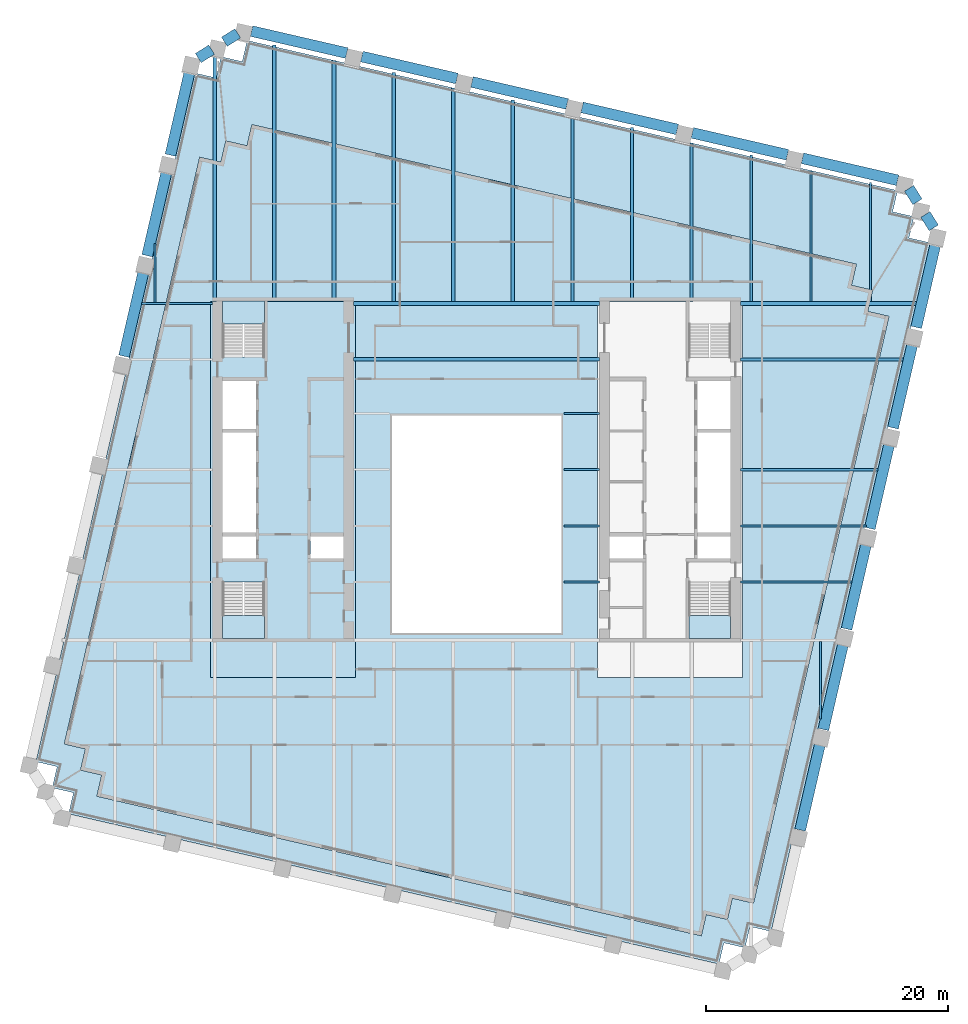
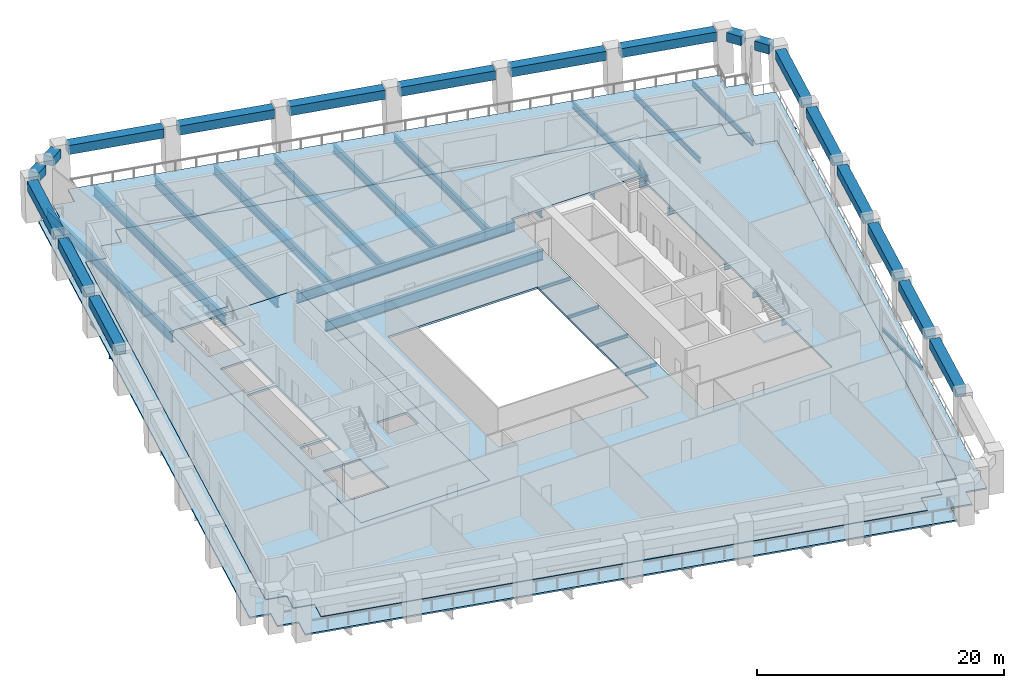
# One storey, part 2 of 10: 45 beams, 6 slabs, 3 elements without a shape of their own.
"""IFC4 building model written with IfcOpenShell, lengths in metres."""

from ifc_helpers import new_model, si_unit, direction, frame, origin, origin_2d, place, context, subcontext, project, spatial, polyline, rectangle, i_section, outline, extrude, material, layer, layer_set, material_profile, profile_set, type_object, element, aggregate, save


model = new_model("IFC4")

# Units and contexts
model_context = context("Model", 3, precision=1e-05, world=origin(), true_north=direction((0.0, 1.0)))
body_context = subcontext(model_context, "Body", "Model", "MODEL_VIEW")
ifc_project = project(units=[si_unit("LENGTHUNIT", "METRE"), si_unit("AREAUNIT", "SQUARE_METRE"), si_unit("VOLUMEUNIT", "CUBIC_METRE"), si_unit("PLANEANGLEUNIT", "RADIAN"), si_unit("MASSUNIT", "GRAM", prefix="KILO")], contexts=[model_context])

# Site, building, storey
site_placement = place(None, origin())
site = spatial("IfcSite", under=ifc_project, at=site_placement, CompositionType="ELEMENT")
building_placement = place(site_placement, origin())
building = spatial("IfcBuilding", under=site, at=building_placement, Name="Ogive Exchange Tower", CompositionType="ELEMENT")
storey_placement = place(building_placement, frame((0.0, 0.0, 151.800048828125)))
storey = spatial("IfcBuildingStorey", under=building, at=storey_placement, Name="L33", CompositionType="ELEMENT", Elevation=151.800048828125)

# Beams
ifc_material_1 = material(Name="Steel ASTM A992 Gr50", Category="steel")
ifc_material_profile_1 = material_profile(ifc_material_1, i_section(OverallWidth=0.300048828125, OverallDepth=0.969970703125, WebThickness=0.01611328125, FlangeThickness=0.02099609375, at=origin_2d()), Name="W1000x222")
ifc_profile_set_1 = profile_set([ifc_material_profile_1], Name="Steel ASTM A992 Gr50")
beam_type_1 = type_object("IfcBeamType", Name="Floor beam W1000x222", PredefinedType="JOIST", material=ifc_profile_set_1)
beam_1_placement = place(storey_placement, frame((-10.169921875, 20.62255859375, -0.68505859375), z_axis=(1.0, 0.0, 0.0), x_axis=(0.0, 1.0, 0.0)))
element("IfcBeam", 1, at=beam_1_placement, inside=storey, type_object=beam_type_1, Name="Floor beam", PredefinedType="JOIST", context=body_context, shape_type="SweptSolid", body=[
    extrude(i_section(OverallWidth=0.300048828125, OverallDepth=0.969970703125, WebThickness=0.01611328125, FlangeThickness=0.02099609375, at=origin_2d()), origin(), (0.0, 0.0, 1.0), 20.33984375),
])
beam_2_placement = place(storey_placement, frame((-21.650634765625, 25.39990234375, -0.68505859375), z_axis=(0.0, 1.0, 0.0), x_axis=(-1.0, 0.0, 0.0)))
element("IfcBeam", 2, at=beam_2_placement, inside=storey, type_object=beam_type_1, Name="Floor beam", PredefinedType="JOIST", context=body_context, shape_type="SweptSolid", body=[
    extrude(i_section(OverallWidth=0.300048828125, OverallDepth=0.969970703125, WebThickness=0.01611328125, FlangeThickness=0.02099609375, at=origin_2d()), origin(), (0.0, 0.0, 1.0), 20.317138671875),
])
beam_3_placement = place(storey_placement, frame((-11.791015625, 25.39990234375, -0.68505859375), z_axis=(0.0, 1.0, 0.0), x_axis=(-1.0, 0.0, 0.0)))
element("IfcBeam", 3, at=beam_3_placement, inside=storey, type_object=beam_type_1, Name="Floor beam", PredefinedType="JOIST", context=body_context, shape_type="SweptSolid", body=[
    extrude(i_section(OverallWidth=0.300048828125, OverallDepth=0.969970703125, WebThickness=0.01611328125, FlangeThickness=0.02099609375, at=origin_2d()), origin(), (0.0, 0.0, 1.0), 19.943603515625),
])
ifc_material_profile_2 = material_profile(ifc_material_1, i_section(OverallWidth=0.300048828125, OverallDepth=0.97998046875, WebThickness=0.0166015625, FlangeThickness=0.026123046875, at=origin_2d()), Name="W1000x249")
ifc_profile_set_2 = profile_set([ifc_material_profile_2], Name="Steel ASTM A992 Gr50")
beam_type_2 = type_object("IfcBeamType", Name="Floor beam W1000x249", PredefinedType="JOIST", material=ifc_profile_set_2)
beam_4_placement = place(storey_placement, frame((-16.720703125, 25.39990234375, -0.68994140625), z_axis=(0.0, 1.0, 0.0), x_axis=(-1.0, 0.0, 0.0)))
element("IfcBeam", 4, at=beam_4_placement, inside=storey, type_object=beam_type_2, Name="Floor beam", PredefinedType="JOIST", context=body_context, shape_type="SweptSolid", body=[
    extrude(i_section(OverallWidth=0.300048828125, OverallDepth=0.97998046875, WebThickness=0.0166015625, FlangeThickness=0.026123046875, at=origin_2d()), origin(), (0.0, 0.0, 1.0), 21.231689453125),
])
ifc_material_profile_3 = material_profile(ifc_material_1, i_section(OverallWidth=0.1650390625, OverallDepth=0.31005859375, WebThickness=0.005859375, FlangeThickness=0.009765625, at=origin_2d()), Name="W310x38.7")
ifc_profile_set_3 = profile_set([ifc_material_profile_3], Name="Steel ASTM A992 Gr50")
beam_type_3 = type_object("IfcBeamType", Name="Floor beam W310x38.7", PredefinedType="JOIST", material=ifc_profile_set_3)
for number, where, z_axis, x_axis, name in (
    (5, (7.219970703125, 2.208740234375, -0.35498046875), (1.0, 0.0, 0.0), (0.0, 1.0, 0.0), "Floor beam"),
    (6, (7.219970703125, 6.857421875, -0.35498046875), (1.0, 0.0, 0.0), (0.0, 1.0, 0.0), "Floor beam"),
    (7, (7.219970703125, 11.50634765625, -0.35498046875), (1.0, 0.0, 0.0), (0.0, 1.0, 0.0), "Floor beam"),
):
    element("IfcBeam", number, at=place(storey_placement, frame(where, z_axis=z_axis, x_axis=x_axis)), inside=storey, type_object=beam_type_3, Name=name, PredefinedType="JOIST", context=body_context, shape_type="SweptSolid", body=[
        extrude(i_section(OverallWidth=0.1650390625, OverallDepth=0.31005859375, WebThickness=0.005859375, FlangeThickness=0.009765625, at=origin_2d()), origin(), (0.0, 0.0, 1.0), 2.949951171875),
    ])
beam_5_placement = place(storey_placement, frame((28.447998046875, -9.125, -0.35498046875), z_axis=(0.0, 1.0, 0.0), x_axis=(-1.0, 0.0, 0.0)))
element("IfcBeam", 8, at=beam_5_placement, inside=storey, type_object=beam_type_3, Name="Floor beam", PredefinedType="JOIST", context=body_context, shape_type="SweptSolid", body=[
    extrude(i_section(OverallWidth=0.1650390625, OverallDepth=0.31005859375, WebThickness=0.005859375, FlangeThickness=0.009765625, at=origin_2d()), origin(), (0.0, 0.0, 1.0), 6.4345703125),
])
beam_6_placement = place(storey_placement, frame((-26.58056640625, 25.33056640625, -0.35498046875), z_axis=(0.0, 1.0, 0.0), x_axis=(-1.0, 0.0, 0.0)))
element("IfcBeam", 9, at=beam_6_placement, inside=storey, type_object=beam_type_3, Name="Floor beam", PredefinedType="JOIST", context=body_context, shape_type="SweptSolid", body=[
    extrude(i_section(OverallWidth=0.1650390625, OverallDepth=0.31005859375, WebThickness=0.005859375, FlangeThickness=0.009765625, at=origin_2d()), origin(), (0.0, 0.0, 1.0), 4.883544921875),
])
ifc_material_profile_4 = material_profile(ifc_material_1, i_section(OverallWidth=0.19091796875, OverallDepth=0.45703125, WebThickness=0.009033203125, FlangeThickness=0.014404296875, at=origin_2d()), Name="W460x74")
ifc_profile_set_4 = profile_set([ifc_material_profile_4], Name="Steel ASTM A992 Gr50")
beam_type_4 = type_object("IfcBeamType", Name="Floor beam W460x74", PredefinedType="JOIST", material=ifc_profile_set_4)
beam_7_placement = place(storey_placement, frame((21.830078125, 2.208740234375, -0.428466796875), z_axis=(1.0, 0.0, 0.0), x_axis=(0.0, 1.0, 0.0)))
element("IfcBeam", 10, at=beam_7_placement, inside=storey, type_object=beam_type_4, Name="Floor beam", PredefinedType="JOIST", context=body_context, shape_type="SweptSolid", body=[
    extrude(i_section(OverallWidth=0.19091796875, OverallDepth=0.45703125, WebThickness=0.009033203125, FlangeThickness=0.014404296875, at=origin_2d()), origin(), (0.0, 0.0, 1.0), 9.199951171875),
])
ifc_material_profile_5 = material_profile(ifc_material_1, i_section(OverallWidth=0.1669921875, OverallDepth=0.535888671875, WebThickness=0.01025390625, FlangeThickness=0.0166015625, at=origin_2d()), Name="W530x85")
ifc_profile_set_5 = profile_set([ifc_material_profile_5], Name="Steel ASTM A992 Gr50")
beam_type_5 = type_object("IfcBeamType", Name="Floor beam W530x85", PredefinedType="JOIST", material=ifc_profile_set_5)
beam_8_placement = place(storey_placement, frame((21.830078125, 6.857421875, -0.468017578125), z_axis=(1.0, 0.0, 0.0), x_axis=(0.0, 1.0, 0.0)))
element("IfcBeam", 11, at=beam_8_placement, inside=storey, type_object=beam_type_5, Name="Floor beam", PredefinedType="JOIST", context=body_context, shape_type="SweptSolid", body=[
    extrude(i_section(OverallWidth=0.1669921875, OverallDepth=0.535888671875, WebThickness=0.01025390625, FlangeThickness=0.0166015625, at=origin_2d()), origin(), (0.0, 0.0, 1.0), 10.423095703125),
])
beam_9_placement = place(storey_placement, frame((27.64794921875, 25.39111328125, -0.468017578125), z_axis=(0.0, 1.0, 0.0), x_axis=(-1.0, 0.0, 0.0)))
element("IfcBeam", 12, at=beam_9_placement, inside=storey, type_object=beam_type_5, Name="Floor beam", PredefinedType="JOIST", context=body_context, shape_type="SweptSolid", body=[
    extrude(i_section(OverallWidth=0.1669921875, OverallDepth=0.535888671875, WebThickness=0.01025390625, FlangeThickness=0.0166015625, at=origin_2d()), origin(), (0.0, 0.0, 1.0), 10.84716796875),
])
beam_10_placement = place(storey_placement, frame((32.577880859375, 25.39111328125, -0.468017578125), z_axis=(0.0, 1.0, 0.0), x_axis=(-1.0, 0.0, 0.0)))
element("IfcBeam", 13, at=beam_10_placement, inside=storey, type_object=beam_type_5, Name="Floor beam", PredefinedType="JOIST", context=body_context, shape_type="SweptSolid", body=[
    extrude(i_section(OverallWidth=0.1669921875, OverallDepth=0.535888671875, WebThickness=0.01025390625, FlangeThickness=0.0166015625, at=origin_2d()), origin(), (0.0, 0.0, 1.0), 9.85888671875),
])
ifc_material_profile_6 = material_profile(ifc_material_1, i_section(OverallWidth=0.22802734375, OverallDepth=0.60205078125, WebThickness=0.010498046875, FlangeThickness=0.014892578125, at=origin_2d()), Name="W610x101")
ifc_profile_set_6 = profile_set([ifc_material_profile_6], Name="Steel ASTM A992 Gr50")
beam_type_6 = type_object("IfcBeamType", Name="Floor beam W610x101", PredefinedType="JOIST", material=ifc_profile_set_6)
beam_11_placement = place(storey_placement, frame((21.830078125, 11.50634765625, -0.5009765625), z_axis=(1.0, 0.0, 0.0), x_axis=(0.0, 1.0, 0.0)))
element("IfcBeam", 14, at=beam_11_placement, inside=storey, type_object=beam_type_6, Name="Floor beam", PredefinedType="JOIST", context=body_context, shape_type="SweptSolid", body=[
    extrude(i_section(OverallWidth=0.22802734375, OverallDepth=0.60205078125, WebThickness=0.010498046875, FlangeThickness=0.014892578125, at=origin_2d()), origin(), (0.0, 0.0, 1.0), 11.346435546875),
])
beam_12_placement = place(storey_placement, frame((22.71826171875, 25.39111328125, -0.5009765625), z_axis=(0.0, 1.0, 0.0), x_axis=(-1.0, 0.0, 0.0)))
element("IfcBeam", 15, at=beam_12_placement, inside=storey, type_object=beam_type_6, Name="Floor beam", PredefinedType="JOIST", context=body_context, shape_type="SweptSolid", body=[
    extrude(i_section(OverallWidth=0.22802734375, OverallDepth=0.60205078125, WebThickness=0.010498046875, FlangeThickness=0.014892578125, at=origin_2d()), origin(), (0.0, 0.0, 1.0), 12.13525390625),
])
ifc_material_profile_7 = material_profile(ifc_material_1, i_section(OverallWidth=0.25390625, OverallDepth=0.677978515625, WebThickness=0.01171875, FlangeThickness=0.016357421875, at=origin_2d()), Name="W690x125")
ifc_profile_set_7 = profile_set([ifc_material_profile_7], Name="Steel ASTM A992 Gr50")
beam_type_7 = type_object("IfcBeamType", Name="Floor beam W690x125", PredefinedType="JOIST", material=ifc_profile_set_7)
beam_13_placement = place(storey_placement, frame((21.830078125, 20.62255859375, -0.5390625), z_axis=(1.0, 0.0, 0.0), x_axis=(0.0, 1.0, 0.0)))
element("IfcBeam", 16, at=beam_13_placement, inside=storey, type_object=beam_type_7, Name="Floor beam", PredefinedType="JOIST", context=body_context, shape_type="SweptSolid", body=[
    extrude(i_section(OverallWidth=0.25390625, OverallDepth=0.677978515625, WebThickness=0.01171875, FlangeThickness=0.016357421875, at=origin_2d()), origin(), (0.0, 0.0, 1.0), 13.60107421875),
])
beam_14_placement = place(storey_placement, frame((17.788330078125, 25.39990234375, -0.5390625), z_axis=(0.0, 1.0, 0.0), x_axis=(-1.0, 0.0, 0.0)))
element("IfcBeam", 17, at=beam_14_placement, inside=storey, type_object=beam_type_7, Name="Floor beam", PredefinedType="JOIST", context=body_context, shape_type="SweptSolid", body=[
    extrude(i_section(OverallWidth=0.25390625, OverallDepth=0.677978515625, WebThickness=0.01171875, FlangeThickness=0.016357421875, at=origin_2d()), origin(), (0.0, 0.0, 1.0), 13.114501953125),
])
ifc_material_profile_8 = material_profile(ifc_material_1, i_section(OverallWidth=0.26708984375, OverallDepth=0.75390625, WebThickness=0.01318359375, FlangeThickness=0.01708984375, at=origin_2d()), Name="W760x147")
ifc_profile_set_8 = profile_set([ifc_material_profile_8], Name="Steel ASTM A992 Gr50")
beam_type_8 = type_object("IfcBeamType", Name="Floor beam W760x147", PredefinedType="JOIST", material=ifc_profile_set_8)
beam_15_placement = place(storey_placement, frame((7.9287109375, 25.39501953125, -0.5771484375), z_axis=(0.0, 1.0, 0.0), x_axis=(-1.0, 0.0, 0.0)))
element("IfcBeam", 18, at=beam_15_placement, inside=storey, type_object=beam_type_8, Name="Floor beam", PredefinedType="JOIST", context=body_context, shape_type="SweptSolid", body=[
    extrude(i_section(OverallWidth=0.26708984375, OverallDepth=0.75390625, WebThickness=0.01318359375, FlangeThickness=0.01708984375, at=origin_2d()), origin(), (0.0, 0.0, 1.0), 15.395751953125),
])
beam_16_placement = place(storey_placement, frame((12.8583984375, 25.39990234375, -0.5771484375), z_axis=(0.0, 1.0, 0.0), x_axis=(-1.0, 0.0, 0.0)))
element("IfcBeam", 19, at=beam_16_placement, inside=storey, type_object=beam_type_8, Name="Floor beam", PredefinedType="JOIST", context=body_context, shape_type="SweptSolid", body=[
    extrude(i_section(OverallWidth=0.26708984375, OverallDepth=0.75390625, WebThickness=0.01318359375, FlangeThickness=0.01708984375, at=origin_2d()), origin(), (0.0, 0.0, 1.0), 14.402587890625),
])
ifc_material_profile_9 = material_profile(ifc_material_1, i_section(OverallWidth=0.2919921875, OverallDepth=0.8359375, WebThickness=0.013916015625, FlangeThickness=0.018798828125, at=origin_2d()), Name="W840x176")
ifc_profile_set_9 = profile_set([ifc_material_profile_9], Name="Steel ASTM A992 Gr50")
beam_type_9 = type_object("IfcBeamType", Name="Floor beam W840x176", PredefinedType="JOIST", material=ifc_profile_set_9)
beam_17_placement = place(storey_placement, frame((2.998779296875, 25.39501953125, -0.6181640625), z_axis=(0.0, 1.0, 0.0), x_axis=(-1.0, 0.0, 0.0)))
element("IfcBeam", 20, at=beam_17_placement, inside=storey, type_object=beam_type_9, Name="Floor beam", PredefinedType="JOIST", context=body_context, shape_type="SweptSolid", body=[
    extrude(i_section(OverallWidth=0.2919921875, OverallDepth=0.8359375, WebThickness=0.013916015625, FlangeThickness=0.018798828125, at=origin_2d()), origin(), (0.0, 0.0, 1.0), 16.683837890625),
])
ifc_material_profile_10 = material_profile(ifc_material_1, i_section(OverallWidth=0.2919921875, OverallDepth=0.845947265625, WebThickness=0.015380859375, FlangeThickness=0.0244140625, at=origin_2d()), Name="W840x210")
ifc_profile_set_10 = profile_set([ifc_material_profile_10], Name="Steel ASTM A992 Gr50")
beam_type_10 = type_object("IfcBeamType", Name="Floor beam W840x210", PredefinedType="JOIST", material=ifc_profile_set_10)
beam_18_placement = place(storey_placement, frame((-1.93115234375, 25.39501953125, -0.623046875), z_axis=(0.0, 1.0, 0.0), x_axis=(-1.0, 0.0, 0.0)))
element("IfcBeam", 21, at=beam_18_placement, inside=storey, type_object=beam_type_10, Name="Floor beam", PredefinedType="JOIST", context=body_context, shape_type="SweptSolid", body=[
    extrude(i_section(OverallWidth=0.2919921875, OverallDepth=0.845947265625, WebThickness=0.015380859375, FlangeThickness=0.0244140625, at=origin_2d()), origin(), (0.0, 0.0, 1.0), 17.672119140625),
])
ifc_material_profile_11 = material_profile(ifc_material_1, i_section(OverallWidth=0.304931640625, OverallDepth=0.904052734375, WebThickness=0.01513671875, FlangeThickness=0.02001953125, at=origin_2d()), Name="W920x201")
ifc_profile_set_11 = profile_set([ifc_material_profile_11], Name="Steel ASTM A992 Gr50")
beam_type_11 = type_object("IfcBeamType", Name="Floor beam W920x201", PredefinedType="JOIST", material=ifc_profile_set_11)
beam_19_placement = place(storey_placement, frame((-6.861083984375, 25.39501953125, -0.652099609375), z_axis=(0.0, 1.0, 0.0), x_axis=(-1.0, 0.0, 0.0)))
element("IfcBeam", 22, at=beam_19_placement, inside=storey, type_object=beam_type_11, Name="Floor beam", PredefinedType="JOIST", context=body_context, shape_type="SweptSolid", body=[
    extrude(i_section(OverallWidth=0.304931640625, OverallDepth=0.904052734375, WebThickness=0.01513671875, FlangeThickness=0.02001953125, at=origin_2d()), origin(), (0.0, 0.0, 1.0), 18.960205078125),
])
ifc_material_profile_12 = material_profile(ifc_material_1, i_section(OverallWidth=0.300048828125, OverallDepth=0.97998046875, WebThickness=0.0166015625, FlangeThickness=0.026123046875, at=origin_2d()), Name="W1000x249")
ifc_profile_set_12 = profile_set([ifc_material_profile_12], Name="Steel ASTM A992 Gr50")
beam_type_12 = type_object("IfcBeamType", Name="Girder W1000x249", PredefinedType="BEAM", material=ifc_profile_set_12)
beam_20_placement = place(storey_placement, frame((-10.169921875, 25.2451171875, -0.68994140625), z_axis=(1.0, 0.0, 0.0), x_axis=(0.0, 1.0, 0.0)))
element("IfcBeam", 23, at=beam_20_placement, inside=storey, type_object=beam_type_12, Name="Header girder", PredefinedType="BEAM", context=body_context, shape_type="SweptSolid", body=[
    extrude(i_section(OverallWidth=0.300048828125, OverallDepth=0.97998046875, WebThickness=0.0166015625, FlangeThickness=0.026123046875, at=origin_2d()), origin(), (0.0, 0.0, 1.0), 20.33984375),
])
ifc_material_profile_13 = material_profile(ifc_material_1, i_section(OverallWidth=0.1650390625, OverallDepth=0.31005859375, WebThickness=0.005859375, FlangeThickness=0.009765625, at=origin_2d()), Name="W310x38.7")
ifc_profile_set_13 = profile_set([ifc_material_profile_13], Name="Steel ASTM A992 Gr50")
beam_type_13 = type_object("IfcBeamType", Name="Girder W310x38.7", PredefinedType="BEAM", material=ifc_profile_set_13)
beam_21_placement = place(storey_placement, frame((7.219970703125, 16.155029296875, -0.35498046875), z_axis=(1.0, 0.0, 0.0), x_axis=(0.0, 1.0, 0.0)))
element("IfcBeam", 24, at=beam_21_placement, inside=storey, type_object=beam_type_13, Name="Trimmer girder", PredefinedType="BEAM", context=body_context, shape_type="SweptSolid", body=[
    extrude(i_section(OverallWidth=0.1650390625, OverallDepth=0.31005859375, WebThickness=0.005859375, FlangeThickness=0.009765625, at=origin_2d()), origin(), (0.0, 0.0, 1.0), 2.949951171875),
])
ifc_material_profile_14 = material_profile(ifc_material_1, i_section(OverallWidth=0.1708984375, OverallDepth=0.35595703125, WebThickness=0.00732421875, FlangeThickness=0.01171875, at=origin_2d()), Name="W360x51")
ifc_profile_set_14 = profile_set([ifc_material_profile_14], Name="Steel ASTM A992 Gr50")
beam_type_14 = type_object("IfcBeamType", Name="Girder W360x51", PredefinedType="BEAM", material=ifc_profile_set_14)
beam_22_placement = place(storey_placement, frame((-27.693115234375, 25.2451171875, -0.3779296875), z_axis=(1.0, 0.0, 0.0), x_axis=(0.0, 1.0, 0.0)))
element("IfcBeam", 25, at=beam_22_placement, inside=storey, type_object=beam_type_14, Name="Header girder", PredefinedType="BEAM", context=body_context, shape_type="SweptSolid", body=[
    extrude(i_section(OverallWidth=0.1708984375, OverallDepth=0.35595703125, WebThickness=0.00732421875, FlangeThickness=0.01171875, at=origin_2d()), origin(), (0.0, 0.0, 1.0), 5.863037109375),
])
ifc_material_profile_15 = material_profile(ifc_material_1, i_section(OverallWidth=0.2919921875, OverallDepth=0.8359375, WebThickness=0.013916015625, FlangeThickness=0.018798828125, at=origin_2d()), Name="W840x176")
ifc_profile_set_15 = profile_set([ifc_material_profile_15], Name="Steel ASTM A992 Gr50")
beam_type_15 = type_object("IfcBeamType", Name="Girder W840x176", PredefinedType="BEAM", material=ifc_profile_set_15)
beam_23_placement = place(storey_placement, frame((21.830078125, 25.2451171875, -0.6181640625), z_axis=(1.0, 0.0, 0.0), x_axis=(0.0, 1.0, 0.0)))
element("IfcBeam", 26, at=beam_23_placement, inside=storey, type_object=beam_type_15, Name="Header girder", PredefinedType="BEAM", context=body_context, shape_type="SweptSolid", body=[
    extrude(i_section(OverallWidth=0.2919921875, OverallDepth=0.8359375, WebThickness=0.013916015625, FlangeThickness=0.018798828125, at=origin_2d()), origin(), (0.0, 0.0, 1.0), 14.668212890625),
])
ifc_material_2 = material(Name="Precast concrete C70/85 (limestone faced)", Category="masonry")
ifc_material_profile_16 = material_profile(ifc_material_2, rectangle(XDim=0.89990234375, YDim=0.89990234375, at=origin_2d()), Name="900 x 900")
ifc_profile_set_16 = profile_set([ifc_material_profile_16], Name="Precast concrete C70/85 (limestone faced)")
beam_type_16 = type_object("IfcBeamType", Name="Precast spandrel 900 x 900 C70/85", PredefinedType="SPANDREL", material=ifc_profile_set_16)
for number, where, z_axis, x_axis, name in (
    (27, (26.7587890625, -18.29248046875, 3.5), (0.224952671893, 0.974369691343, 0.0), (-0.974369691343, 0.224952671893, 0.0), "Spandrel 10"),
    (28, (28.677978515625, -9.978515625, 3.5), (0.224991902059, 0.974360633445, 0.0), (-0.974360633445, 0.224991902059, 0.0), "Spandrel 11"),
    (29, (30.597412109375, -1.664794921875, 3.5), (0.224952671893, 0.974369691343, 0.0), (-0.974369691343, 0.224952671893, 0.0), "Spandrel 12"),
    (30, (32.516845703125, 6.64892578125, 3.5), (0.224952671893, 0.974369691343, 0.0), (-0.974369691343, 0.224952671893, 0.0), "Spandrel 13"),
    (31, (34.436279296875, 14.962890625, 3.5), (0.22496003024, 0.974367992493, 0.0), (-0.974367992493, 0.22496003024, 0.0), "Spandrel 14"),
    (32, (36.355712890625, 23.276611328125, 3.5), (0.22496003024, 0.974367992493, 0.0), (-0.974367992493, 0.22496003024, 0.0), "Spandrel 15"),
):
    element("IfcBeam", number, at=place(storey_placement, frame(where, z_axis=z_axis, x_axis=x_axis)), inside=storey, type_object=beam_type_16, Name=name, PredefinedType="SPANDREL", context=body_context, shape_type="SweptSolid", body=[
        extrude(rectangle(XDim=0.89990234375, YDim=0.89990234375, at=origin_2d()), origin(), (0.0, 0.0, 1.0), 7.2724609375),
    ])
for number, where, z_axis, x_axis, name in (
    (33, (37.80517578125, 31.501708984375, 3.5), (-0.529931776808, 0.848040277303, 0.0), (-0.848040277303, -0.529931776808, 0.0), "Spandrel 16"),
    (34, (36.456298828125, 33.660400390625, 3.5), (-0.529931776808, 0.848040277303, 0.0), (-0.848040277303, -0.529931776808, 0.0), "Spandrel 17"),
):
    element("IfcBeam", number, at=place(storey_placement, frame(where, z_axis=z_axis, x_axis=x_axis)), inside=storey, type_object=beam_type_16, Name=name, PredefinedType="SPANDREL", context=body_context, shape_type="SweptSolid", body=[
        extrude(rectangle(XDim=0.89990234375, YDim=0.89990234375, at=origin_2d()), origin(), (0.0, 0.0, 1.0), 1.30712890625),
    ])
for number, where, z_axis, x_axis, name in (
    (35, (34.821533203125, 35.435791015625, 3.5), (-0.974370337884, 0.224949871421, 0.0), (-0.224949871421, -0.974370337884, 0.0), "Spandrel 18"),
    (36, (25.711181640625, 37.5390625, 3.5), (-0.974370337884, 0.224949871421, 0.0), (-0.224949871421, -0.974370337884, 0.0), "Spandrel 19"),
    (37, (16.600830078125, 39.642333984375, 3.5), (-0.974370337884, 0.224949871421, 0.0), (-0.224949871421, -0.974370337884, 0.0), "Spandrel 20"),
    (38, (7.490478515625, 41.74560546875, 3.5), (-0.974370337884, 0.224949871421, 0.0), (-0.224949871421, -0.974370337884, 0.0), "Spandrel 21"),
    (39, (-1.619873046875, 43.848876953125, 3.5), (-0.974370337884, 0.224949871421, 0.0), (-0.224949871421, -0.974370337884, 0.0), "Spandrel 22"),
    (40, (-10.730224609375, 45.9521484375, 3.5), (-0.974363722868, 0.224978522439, 0.0), (-0.224978522439, -0.974363722868, 0.0), "Spandrel 23"),
):
    element("IfcBeam", number, at=place(storey_placement, frame(where, z_axis=z_axis, x_axis=x_axis)), inside=storey, type_object=beam_type_16, Name=name, PredefinedType="SPANDREL", context=body_context, shape_type="SweptSolid", body=[
        extrude(rectangle(XDim=0.89990234375, YDim=0.89990234375, at=origin_2d()), origin(), (0.0, 0.0, 1.0), 8.08984375),
    ])
for number, where, z_axis, x_axis, name in (
    (41, (-19.751953125, 47.585693359375, 3.5), (-0.848040277303, -0.529931776808, 0.0), (0.529931776808, -0.848040277303, 0.0), "Spandrel 24"),
    (42, (-21.91064453125, 46.23681640625, 3.5), (-0.847956329543, -0.530066093226, 0.0), (0.530066093226, -0.847956329543, 0.0), "Spandrel 25"),
):
    element("IfcBeam", number, at=place(storey_placement, frame(where, z_axis=z_axis, x_axis=x_axis)), inside=storey, type_object=beam_type_16, Name=name, PredefinedType="SPANDREL", context=body_context, shape_type="SweptSolid", body=[
        extrude(rectangle(XDim=0.89990234375, YDim=0.89990234375, at=origin_2d()), origin(), (0.0, 0.0, 1.0), 1.30712890625),
    ])
beam_24_placement = place(storey_placement, frame((-23.68603515625, 44.60205078125, 3.5), z_axis=(-0.224952671893, -0.974369691343, 0.0), x_axis=(0.974369691343, -0.224952671893, 0.0)))
element("IfcBeam", 43, at=beam_24_placement, inside=storey, type_object=beam_type_16, Name="Spandrel 26", PredefinedType="SPANDREL", context=body_context, shape_type="SweptSolid", body=[
    extrude(rectangle(XDim=0.89990234375, YDim=0.89990234375, at=origin_2d()), origin(), (0.0, 0.0, 1.0), 7.2724609375),
])
for number, where, z_axis, x_axis, name in (
    (44, (-25.60546875, 36.2880859375, 3.5), (-0.2249281577, -0.974375350609, 0.0), (0.974375350609, -0.2249281577, 0.0), "Spandrel 27"),
    (45, (-27.52490234375, 27.974365234375, 3.5), (-0.2249281577, -0.974375350609, 0.0), (0.974375350609, -0.2249281577, 0.0), "Spandrel 28"),
):
    element("IfcBeam", number, at=place(storey_placement, frame(where, z_axis=z_axis, x_axis=x_axis)), inside=storey, type_object=beam_type_16, Name=name, PredefinedType="SPANDREL", context=body_context, shape_type="SweptSolid", body=[
        extrude(rectangle(XDim=0.89990234375, YDim=0.89990234375, at=origin_2d()), origin(), (0.0, 0.0, 1.0), 7.272216796875),
    ])

# Slabs
ifc_material_3 = material(Name="Concrete C50/60", Category="concrete")
ifc_layer_1 = layer(ifc_material_3, 0.199951171875)
ifc_layer_set_1 = layer_set([ifc_layer_1], Name="Composite floor slab 200")
slab_type_1 = type_object("IfcSlabType", Name="Composite floor slab 200", PredefinedType="FLOOR", material=ifc_layer_set_1)
slab_1_placement = place(storey_placement, frame((0.0, 0.0, -0.199951171875)))
element("IfcSlab", 46, at=slab_1_placement, inside=storey, type_object=slab_type_1, Name="Composite floor slab", PredefinedType="FLOOR", context=body_context, shape_type="SweptSolid", body=[
    extrude(outline(polyline([(-30.998779296875, -13.74560546875), (-32.752685546875, -13.3408203125), (-32.34765625, -11.5869140625), (-34.1015625, -11.181884765625), (-22.89892578125, 37.341552734375), (-21.145263671875, 36.936767578125), (-20.740234375, 38.690673828125), (-18.986328125, 38.28564453125), (-18.58154296875, 40.03955078125), (31.40380859375, 28.49951171875), (30.998779296875, 26.74560546875), (32.752685546875, 26.3408203125), (32.34765625, 24.5869140625), (34.1015625, 24.181884765625), (22.89892578125, -24.341552734375), (21.145263671875, -23.936767578125), (20.740234375, -25.690673828125), (18.986328125, -25.28564453125), (18.58154296875, -27.03955078125), (-31.40380859375, -15.49951171875), (-30.998779296875, -13.74560546875)]), holes=[polyline([(7.0, -2.0), (7.0, 16.0), (-7.0, 16.0), (-7.0, -2.0), (7.0, -2.0)]), polyline([(-22.0, -5.699951171875), (-10.0, -5.699951171875), (-10.0, 25.39990234375), (-22.0, 25.39990234375), (-22.0, -5.699951171875)]), polyline([(10.0, -5.699951171875), (22.0, -5.699951171875), (22.0, 25.39990234375), (10.0, 25.39990234375), (10.0, -5.699951171875)])]), origin(), (0.0, 0.0, 1.0), 0.199951171875),
])
ifc_material_4 = material(Name="Concrete C70/85", Category="concrete")
ifc_layer_2 = layer(ifc_material_4, 0.199951171875)
ifc_layer_set_2 = layer_set([ifc_layer_2], Name="Core floor slab 200")
slab_type_2 = type_object("IfcSlabType", Name="Core floor slab 200", PredefinedType="FLOOR", material=ifc_layer_set_2)
slab_2_placement = place(storey_placement, frame((0.0, 0.0, -0.199951171875)))
element("IfcSlab", 47, at=slab_2_placement, inside=storey, type_object=slab_type_2, Name="Core floor slab", PredefinedType="FLOOR", context=body_context, shape_type="SweptSolid", body=[
    extrude(outline(polyline([(-10.0, 25.39990234375), (-10.0, -5.699951171875), (-22.0, -5.699951171875), (-22.0, 25.39990234375), (-21.0, 25.39990234375), (-21.0, 20.803955078125), (-17.550048828125, 20.803955078125), (-17.550048828125, 25.39990234375), (-10.0, 25.39990234375)]), holes=[polyline([(-17.550048828125, 2.196044921875), (-21.0, 2.196044921875), (-21.0, -2.449951171875), (-17.550048828125, -2.449951171875), (-17.550048828125, 2.196044921875)]), polyline([(-18.25, 5.992919921875), (-21.0, 5.992919921875), (-21.0, 4.14990234375), (-18.25, 4.14990234375), (-18.25, 5.992919921875)]), polyline([(-11.0, 5.992919921875), (-13.75, 5.992919921875), (-13.75, 4.14990234375), (-11.0, 4.14990234375), (-11.0, 5.992919921875)]), polyline([(-21.0, 14.564208984375), (-21.0, 6.29296875), (-18.25, 6.29296875), (-18.25, 14.564208984375), (-21.0, 14.564208984375)]), polyline([(-18.25, 18.85009765625), (-21.0, 18.85009765625), (-21.0, 14.8642578125), (-18.25, 14.8642578125), (-18.25, 18.85009765625)])]), origin(), (0.0, 0.0, 1.0), 0.199951171875),
])
ifc_layer_3 = layer(ifc_material_3, 0.14990234375)
ifc_layer_set_3 = layer_set([ifc_layer_3], Name="Loggia deck 150")
slab_type_3 = type_object("IfcSlabType", Name="Loggia deck 150", PredefinedType="FLOOR", material=ifc_layer_set_3)
slab_3_placement = place(storey_placement, frame((0.0, 0.0, -0.199951171875)))
element("IfcSlab", 48, at=slab_3_placement, inside=storey, type_object=slab_type_3, Name="Loggia deck", PredefinedType="FLOOR", context=body_context, shape_type="SweptSolid", body=[
    extrude(outline(polyline([(-33.33740234375, -15.20703125), (-35.09130859375, -14.802001953125), (-34.686279296875, -13.04833984375), (-36.440185546875, -12.643310546875), (-23.29296875, 44.30419921875), (-21.5390625, 43.899169921875), (-21.134033203125, 45.653076171875), (-19.38037109375, 45.248291015625), (-18.975341796875, 47.001953125), (34.809814453125, 34.584716796875), (34.405029296875, 32.830810546875), (36.15869140625, 32.426025390625), (35.75390625, 30.672119140625), (37.5078125, 30.26708984375), (24.3603515625, -26.680419921875), (22.6064453125, -26.275390625), (22.20166015625, -28.029296875), (20.44775390625, -27.62451171875), (20.04296875, -29.378173828125), (-33.742431640625, -16.9609375), (-33.33740234375, -15.20703125)]), holes=[polyline([(18.986328125, -25.28564453125), (20.740234375, -25.690673828125), (21.145263671875, -23.936767578125), (22.89892578125, -24.341552734375), (34.1015625, 24.181884765625), (32.34765625, 24.5869140625), (32.752685546875, 26.3408203125), (30.998779296875, 26.74560546875), (31.40380859375, 28.49951171875), (-18.58154296875, 40.03955078125), (-18.986328125, 38.28564453125), (-20.740234375, 38.690673828125), (-21.145263671875, 36.936767578125), (-22.89892578125, 37.341552734375), (-34.1015625, -11.181884765625), (-32.34765625, -11.5869140625), (-32.752685546875, -13.3408203125), (-30.998779296875, -13.74560546875), (-31.40380859375, -15.49951171875), (18.58154296875, -27.03955078125), (18.986328125, -25.28564453125)])]), origin(), (0.0, 0.0, 1.0), 0.14990234375),
])

# Stair, slab
ifc_material_5 = material(Name="Concrete C40/50", Category="concrete")
stair_type = type_object("IfcStairType", Name="Exit stair 1650 wide", PredefinedType="HALF_TURN_STAIR", material=ifc_material_5)
stair_1_placement = place(storey_placement, origin())
stair_1 = element("IfcStair", 49, at=stair_1_placement, inside=storey, type_object=stair_type, Name="L33 exit stair ST1", PredefinedType="HALF_TURN_STAIR")
ifc_layer_4 = layer(ifc_material_5, 0.199951171875)
ifc_layer_set_4 = layer_set([ifc_layer_4], Name="Stair landing 200 slab")
slab_type_4 = type_object("IfcSlabType", Name="Stair landing 200 slab", PredefinedType="LANDING", material=ifc_layer_set_4)
slab_4_placement = place(storey_placement, frame((0.0, 0.0, 1.89990234375)))
slab_4 = element("IfcSlab", 50, at=slab_4_placement, type_object=slab_type_4, Name="ST1 landing 1", PredefinedType="LANDING", context=body_context, shape_type="SweptSolid", body=[
    extrude(outline(polyline([(-21.0, -0.550048828125), (-21.0, -2.449951171875), (-17.550048828125, -2.449951171875), (-17.550048828125, -0.550048828125), (-21.0, -0.550048828125)])), origin(), (0.0, 0.0, 1.0), 0.199951171875),
])
aggregate(stair_1, [slab_4])

stair_2_placement = place(storey_placement, origin())
stair_2 = element("IfcStair", 51, at=stair_2_placement, inside=storey, type_object=stair_type, Name="L33 exit stair ST2", PredefinedType="HALF_TURN_STAIR")
slab_5_placement = place(storey_placement, frame((0.0, 0.0, 1.89990234375)))
slab_5 = element("IfcSlab", 52, at=slab_5_placement, type_object=slab_type_4, Name="ST2 landing 1", PredefinedType="LANDING", context=body_context, shape_type="SweptSolid", body=[
    extrude(outline(polyline([(-17.550048828125, 23.550048828125), (-17.550048828125, 25.449951171875), (-21.0, 25.449951171875), (-21.0, 23.550048828125), (-17.550048828125, 23.550048828125)])), origin(), (0.0, 0.0, 1.0), 0.199951171875),
])
aggregate(stair_2, [slab_5])

stair_3_placement = place(storey_placement, origin())
stair_3 = element("IfcStair", 53, at=stair_3_placement, inside=storey, type_object=stair_type, Name="L33 exit stair ST3", PredefinedType="HALF_TURN_STAIR")
slab_6_placement = place(storey_placement, frame((0.0, 0.0, 1.89990234375)))
slab_6 = element("IfcSlab", 54, at=slab_6_placement, type_object=slab_type_4, Name="ST3 landing 1", PredefinedType="LANDING", context=body_context, shape_type="SweptSolid", body=[
    extrude(outline(polyline([(17.550048828125, -0.550048828125), (17.550048828125, -2.449951171875), (21.0, -2.449951171875), (21.0, -0.550048828125), (17.550048828125, -0.550048828125)])), origin(), (0.0, 0.0, 1.0), 0.199951171875),
])
aggregate(stair_3, [slab_6])

save(model, "model.ifc")
